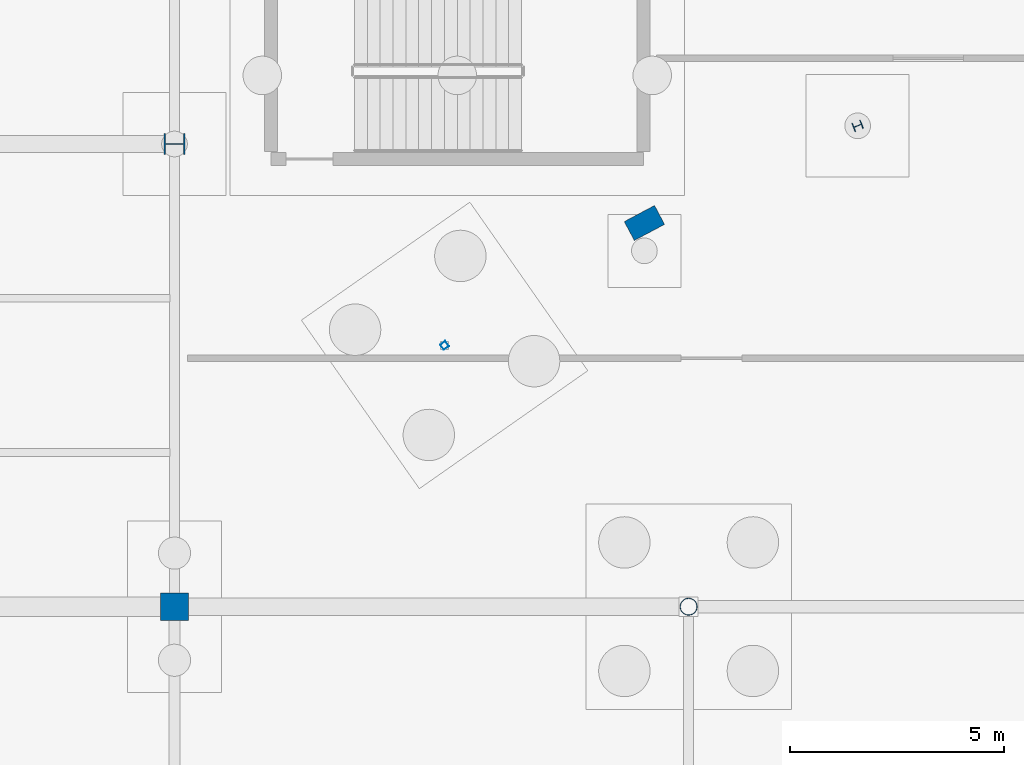
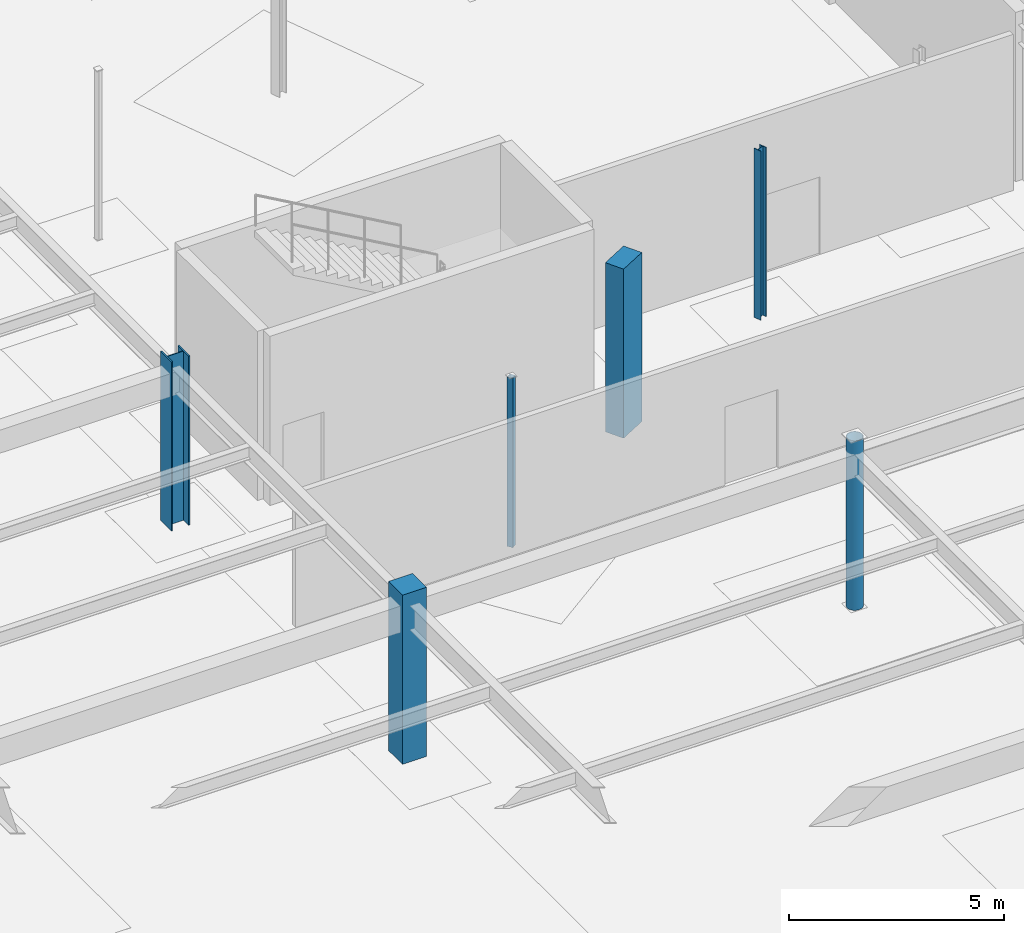
# One storey, part 36 of 136: 6 columns.
"""IFC4 building model written with IfcOpenShell, lengths in metres."""

from ifc_helpers import new_model, si_unit, direction, frame, origin, origin_2d, place, context, subcontext, project, spatial, rectangle, hollow_rectangle, hollow_circle, i_section, extrude, material, material_profile, profile_set, type_object, element, save


model = new_model("IFC4")

# Units and contexts
model_context = context("Model", 3, precision=1e-05, world=origin(), true_north=direction((0.0, 1.0)))
body_context = subcontext(model_context, "Body", "Model", "MODEL_VIEW")
ifc_project = project(units=[si_unit("LENGTHUNIT", "METRE"), si_unit("AREAUNIT", "SQUARE_METRE"), si_unit("VOLUMEUNIT", "CUBIC_METRE"), si_unit("PLANEANGLEUNIT", "RADIAN"), si_unit("MASSUNIT", "GRAM", prefix="KILO")], contexts=[model_context])

# Site, building, storey
site_placement = place(None, origin())
site = spatial("IfcSite", under=ifc_project, at=site_placement, CompositionType="ELEMENT")
building_placement = place(site_placement, origin())
building = spatial("IfcBuilding", under=site, at=building_placement, Name="Tarnwether General Hospital", CompositionType="ELEMENT")
storey_placement = place(building_placement, frame((0.0, 0.0, -4.800048828125)))
storey = spatial("IfcBuildingStorey", under=building, at=storey_placement, Name="LG", CompositionType="ELEMENT", Elevation=-4.800048828125)

# Columns
ifc_material_1 = material(Name="Steel Grade 350 (350 MPa)", Category="steel")
ifc_material_profile_1 = material_profile(ifc_material_1, i_section(OverallWidth=0.5, OverallDepth=0.5, WebThickness=0.02197265625, FlangeThickness=0.035888671875, at=origin_2d()), Name="500WC380")
ifc_profile_set_1 = profile_set([ifc_material_profile_1], Name="Steel Grade 350 (350 MPa)")
column_type_1 = type_object("IfcColumnType", Name="COL-01", PredefinedType="COLUMN", material=ifc_profile_set_1)
column_1_placement = place(storey_placement, frame((60.0, 104.39990234375, 0.0), z_axis=(0.0, 0.0, 1.0), x_axis=(0.0, 1.0, 0.0)))
element("IfcColumn", 1, at=column_1_placement, inside=storey, type_object=column_type_1, Name="Column COLG-LG-6000_10440", PredefinedType="COLUMN", context=body_context, shape_type="SweptSolid", body=[
    extrude(i_section(OverallWidth=0.5, OverallDepth=0.5, WebThickness=0.02197265625, FlangeThickness=0.035888671875, at=origin_2d()), origin(), (0.0, 0.0, 1.0), 4.800048828125),
])
ifc_material_2 = material(Name="Steel Grade C350L0 (350 MPa)", Category="steel")
ifc_material_profile_2 = material_profile(ifc_material_2, hollow_circle(Radius=0.203125, WallThickness=0.01611328125, at=origin_2d()), Name="CHS406.4x16.0")
ifc_profile_set_2 = profile_set([ifc_material_profile_2], Name="Steel Grade C350L0 (350 MPa)")
column_type_2 = type_object("IfcColumnType", Name="COL-10", PredefinedType="COLUMN", material=ifc_profile_set_2)
column_2_placement = place(storey_placement, frame((72.0, 93.60009765625, 0.0), z_axis=(0.0, 0.0, 1.0), x_axis=(1.0, 0.0, 0.0)))
element("IfcColumn", 2, at=column_2_placement, inside=storey, type_object=column_type_2, Name="Column COLG-LG-7200_9360", PredefinedType="COLUMN", context=body_context, shape_type="SweptSolid", body=[
    extrude(hollow_circle(Radius=0.203125, WallThickness=0.01611328125, at=origin_2d()), origin(), (0.0, 0.0, 1.0), 4.800048828125),
])
ifc_material_3 = material(Name="Concrete 50 MPa", Category="concrete")
ifc_material_profile_3 = material_profile(ifc_material_3, rectangle(XDim=0.5, YDim=0.800048828125, at=origin_2d()), Name="RC-PIL-500x800")
ifc_profile_set_3 = profile_set([ifc_material_profile_3], Name="Concrete 50 MPa")
column_type_3 = type_object("IfcColumnType", Name="COL-23", PredefinedType="PILASTER", material=ifc_profile_set_3)
column_3_placement = place(storey_placement, frame((70.968017578125, 102.555908203125, 0.0), z_axis=(0.0, 0.0, 1.0), x_axis=(-0.469471562786, 0.882947592859, 0.0)))
element("IfcColumn", 3, at=column_3_placement, inside=storey, type_object=column_type_3, Name="Column COLG-LG-7097_10256", PredefinedType="PILASTER", context=body_context, shape_type="SweptSolid", body=[
    extrude(rectangle(XDim=0.5, YDim=0.800048828125, at=origin_2d()), origin(), (0.0, 0.0, 1.0), 4.800048828125),
])
ifc_material_4 = material(Name="Steel Grade 350 (350 MPa)", Category="steel")
ifc_material_profile_4 = material_profile(ifc_material_4, i_section(OverallWidth=0.205078125, OverallDepth=0.2099609375, WebThickness=0.00927734375, FlangeThickness=0.01416015625, at=origin_2d()), Name="200UC59.5")
ifc_profile_set_4 = profile_set([ifc_material_profile_4], Name="Steel Grade 350 (350 MPa)")
column_type_4 = type_object("IfcColumnType", Name="COL-25", PredefinedType="COLUMN", material=ifc_profile_set_4)
column_4_placement = place(storey_placement, frame((75.945068359375, 104.823974609375, 0.0), z_axis=(0.0, 0.0, 1.0), x_axis=(-0.358367949545, 0.933580426497, 0.0)))
element("IfcColumn", 4, at=column_4_placement, inside=storey, type_object=column_type_4, Name="Column COLG-LG-7594_10482", PredefinedType="COLUMN", context=body_context, shape_type="SweptSolid", body=[
    extrude(i_section(OverallWidth=0.205078125, OverallDepth=0.2099609375, WebThickness=0.00927734375, FlangeThickness=0.01416015625, at=origin_2d()), origin(), (0.0, 0.0, 1.0), 4.800048828125),
])
ifc_material_5 = material(Name="Steel Grade C350L0 (350 MPa)", Category="steel")
ifc_material_profile_5 = material_profile(ifc_material_5, hollow_rectangle(XDim=0.14990234375, YDim=0.14990234375, WallThickness=0.008056640625, at=origin_2d()), Name="SHS150x150x8")
ifc_profile_set_5 = profile_set([ifc_material_profile_5], Name="Steel Grade C350L0 (350 MPa)")
column_type_5 = type_object("IfcColumnType", Name="COL-33", PredefinedType="COLUMN", material=ifc_profile_set_5)
column_5_placement = place(storey_placement, frame((66.303955078125, 99.697998046875, 0.0), z_axis=(0.0, 0.0, 1.0), x_axis=(-0.573576436351, 0.819152044289, 0.0)))
element("IfcColumn", 5, at=column_5_placement, inside=storey, type_object=column_type_5, Name="Column COLG-LG-6630_9970", PredefinedType="COLUMN", context=body_context, shape_type="SweptSolid", body=[
    extrude(hollow_rectangle(XDim=0.14990234375, YDim=0.14990234375, WallThickness=0.008056640625, at=origin_2d()), origin(), (0.0, 0.0, 1.0), 4.800048828125),
])
ifc_material_6 = material(Name="Concrete 50 MPa", Category="concrete")
ifc_material_profile_6 = material_profile(ifc_material_6, rectangle(XDim=0.64990234375, YDim=0.64990234375, at=origin_2d()), Name="RC-COL-650x650")
ifc_profile_set_6 = profile_set([ifc_material_profile_6], Name="Concrete 50 MPa")
column_type_6 = type_object("IfcColumnType", Name="COL-35", PredefinedType="COLUMN", material=ifc_profile_set_6)
column_6_placement = place(storey_placement, frame((60.0, 93.60009765625, 0.0), z_axis=(0.0, 0.0, 1.0), x_axis=(0.0, 1.0, 0.0)))
element("IfcColumn", 6, at=column_6_placement, inside=storey, type_object=column_type_6, Name="Column COLG-LG-6000_9360", PredefinedType="COLUMN", context=body_context, shape_type="SweptSolid", body=[
    extrude(rectangle(XDim=0.64990234375, YDim=0.64990234375, at=origin_2d()), origin(), (0.0, 0.0, 1.0), 4.800048828125),
])

save(model, "model.ifc")
